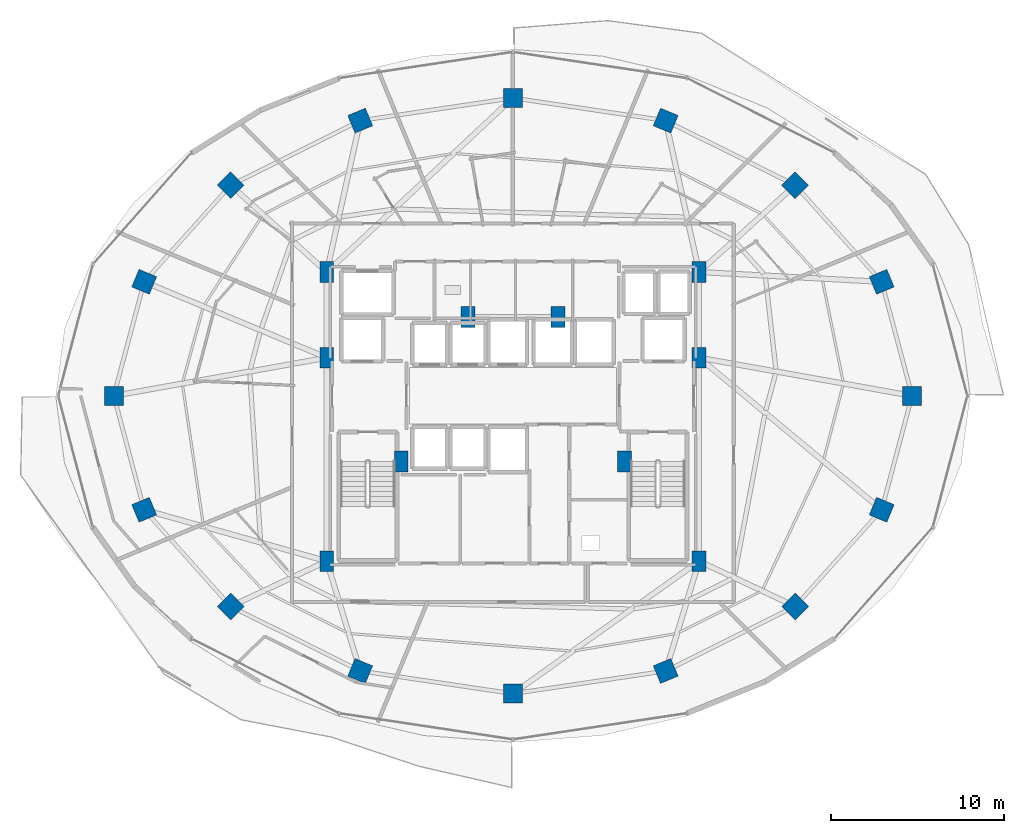
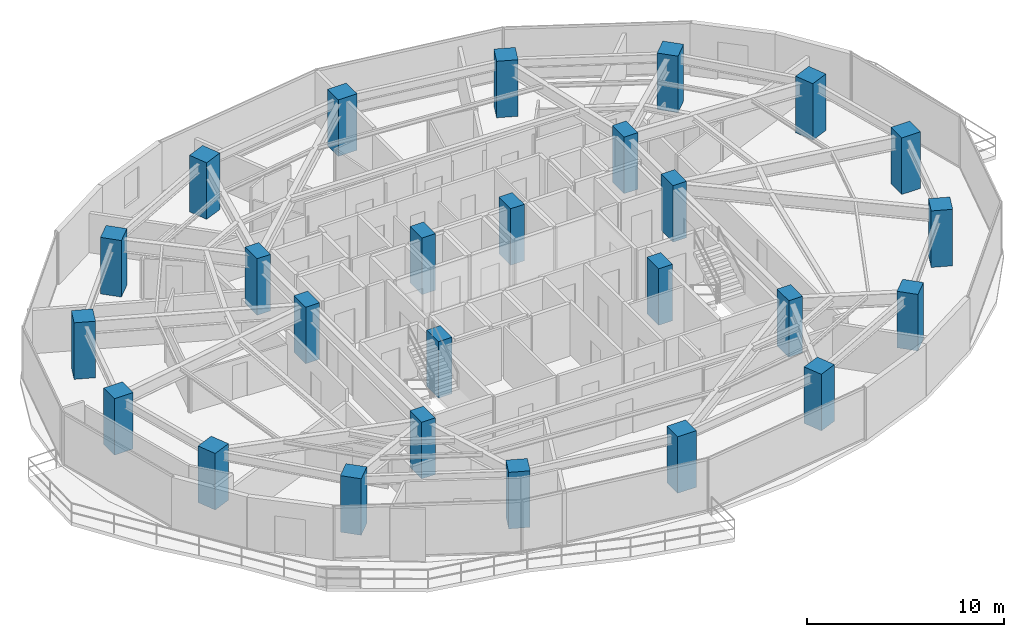
# One storey, part 1 of 31: 26 columns.
"""IFC4 building model written with IfcOpenShell, lengths in metres."""

from ifc_helpers import new_model, si_unit, direction, frame, origin, origin_2d, place, context, subcontext, project, spatial, rectangle, extrude, material, material_profile, profile_set, type_object, element, save


model = new_model("IFC4")

# Units and contexts
model_context = context("Model", 3, precision=1e-05, world=origin(), true_north=direction((0.0, 1.0)))
body_context = subcontext(model_context, "Body", "Model", "MODEL_VIEW")
ifc_project = project(units=[si_unit("LENGTHUNIT", "METRE"), si_unit("AREAUNIT", "SQUARE_METRE"), si_unit("VOLUMEUNIT", "CUBIC_METRE"), si_unit("PLANEANGLEUNIT", "RADIAN"), si_unit("MASSUNIT", "GRAM", prefix="KILO")], contexts=[model_context])

# Site, building, storey
site_placement = place(None, origin())
site = spatial("IfcSite", under=ifc_project, at=site_placement, CompositionType="ELEMENT")
building_placement = place(site_placement, origin())
building = spatial("IfcBuilding", under=site, at=building_placement, Name="Vorneva Point Tower", CompositionType="ELEMENT")
storey_placement = place(building_placement, frame((0.0, 0.0, 99.800048828125)))
storey = spatial("IfcBuildingStorey", under=building, at=storey_placement, Name="L26", CompositionType="ELEMENT", Elevation=99.800048828125)

# Columns
ifc_material = material(Name="Concrete B60 (C50/60)", Category="concrete")
ifc_material_profile_1 = material_profile(ifc_material, rectangle(XDim=1.10009765625, YDim=1.10009765625, at=origin_2d()), Name="RC-COL 1100x1100")
ifc_profile_set_1 = profile_set([ifc_material_profile_1], Name="Concrete B60 (C50/60)")
column_type_1 = type_object("IfcColumnType", Name="COL-RC1100", PredefinedType="COLUMN", material=ifc_profile_set_1)
for number, where, z_axis, x_axis, name in (
    (1, (61.050048828125, 26.0, 0.0), (0.0, 0.0, 1.0), (1.0, 0.0, 0.0), "L26 Perimeter Column P01"),
    (2, (59.29541015625, 32.582275390625, 0.0), (0.0, 0.0, 1.0), (0.923879532511, 0.382683432365, 0.0), "L26 Perimeter Column P02"),
    (3, (54.298828125, 38.162109375, 0.0), (0.0, 0.0, 1.0), (0.707106781187, 0.707106781187, 0.0), "L26 Perimeter Column P03"),
    (4, (46.82080078125, 41.890625, 0.0), (0.0, 0.0, 1.0), (0.382683432365, 0.923879532511, 0.0), "L26 Perimeter Column P04"),
    (5, (38.0, 43.199951171875, 0.0), (0.0, 0.0, 1.0), (0.0, 1.0, 0.0), "L26 Perimeter Column P05"),
    (6, (29.17919921875, 41.890625, 0.0), (0.0, 0.0, 1.0), (-0.382683432365, 0.923879532511, 0.0), "L26 Perimeter Column P06"),
    (7, (21.701171875, 38.162109375, 0.0), (0.0, 0.0, 1.0), (-0.707106781187, 0.707106781187, 0.0), "L26 Perimeter Column P07"),
    (8, (16.70458984375, 32.582275390625, 0.0), (0.0, 0.0, 1.0), (-0.923879532511, 0.382683432365, 0.0), "L26 Perimeter Column P08"),
    (9, (14.949951171875, 26.0, 0.0), (0.0, 0.0, 1.0), (-1.0, 0.0, 0.0), "L26 Perimeter Column P09"),
    (10, (16.70458984375, 19.417724609375, 0.0), (0.0, 0.0, 1.0), (-0.923879532511, -0.382683432365, 0.0), "L26 Perimeter Column P10"),
    (11, (21.701171875, 13.837890625, 0.0), (0.0, 0.0, 1.0), (-0.707106781187, -0.707106781187, 0.0), "L26 Perimeter Column P11"),
    (12, (29.17919921875, 10.109375, 0.0), (0.0, 0.0, 1.0), (-0.382683432365, -0.923879532511, 0.0), "L26 Perimeter Column P12"),
    (13, (38.0, 8.800048828125, 0.0), (0.0, 0.0, 1.0), (0.0, -1.0, 0.0), "L26 Perimeter Column P13"),
    (14, (46.82080078125, 10.109375, 0.0), (0.0, 0.0, 1.0), (0.382683432365, -0.923879532511, 0.0), "L26 Perimeter Column P14"),
    (15, (54.298828125, 13.837890625, 0.0), (0.0, 0.0, 1.0), (0.707106781187, -0.707106781187, 0.0), "L26 Perimeter Column P15"),
    (16, (59.29541015625, 19.417724609375, 0.0), (0.0, 0.0, 1.0), (0.923879532511, -0.382683432365, 0.0), "L26 Perimeter Column P16"),
):
    element("IfcColumn", number, at=place(storey_placement, frame(where, z_axis=z_axis, x_axis=x_axis)), inside=storey, type_object=column_type_1, Name=name, PredefinedType="COLUMN", context=body_context, shape_type="SweptSolid", body=[
        extrude(rectangle(XDim=1.10009765625, YDim=1.10009765625, at=origin_2d()), origin(), (0.0, 0.0, 1.0), 3.5),
    ])
ifc_material_profile_2 = material_profile(ifc_material, rectangle(XDim=0.800048828125, YDim=1.199951171875, at=origin_2d()), Name="RC-PIL 1200x800")
ifc_profile_set_2 = profile_set([ifc_material_profile_2], Name="Concrete B60 (C50/60)")
column_type_2 = type_object("IfcColumnType", Name="PIL-RC1200x800", PredefinedType="PILASTER", material=ifc_profile_set_2)
for number, where, z_axis, x_axis, name in (
    (17, (27.25, 16.449951171875, 0.0), (0.0, 0.0, 1.0), (1.0, 0.0, 0.0), "L26 Core Pilaster CP1"),
    (18, (27.25, 28.199951171875, 0.0), (0.0, 0.0, 1.0), (1.0, 0.0, 0.0), "L26 Core Pilaster CP2"),
    (19, (27.25, 33.14990234375, 0.0), (0.0, 0.0, 1.0), (1.0, 0.0, 0.0), "L26 Core Pilaster CP3"),
    (20, (31.550048828125, 22.199951171875, 0.0), (0.0, 0.0, 1.0), (1.0, 0.0, 0.0), "L26 Core Pilaster CP4"),
    (21, (48.75, 33.14990234375, 0.0), (0.0, 0.0, 1.0), (1.0, 0.0, 0.0), "L26 Core Pilaster CP5"),
    (22, (48.75, 28.199951171875, 0.0), (0.0, 0.0, 1.0), (1.0, 0.0, 0.0), "L26 Core Pilaster CP6"),
    (23, (48.75, 16.449951171875, 0.0), (0.0, 0.0, 1.0), (1.0, 0.0, 0.0), "L26 Core Pilaster CP7"),
    (24, (44.449951171875, 22.199951171875, 0.0), (0.0, 0.0, 1.0), (1.0, 0.0, 0.0), "L26 Core Pilaster CP8"),
    (25, (35.39990234375, 30.550048828125, 0.0), (0.0, 0.0, 1.0), (1.0, 0.0, 0.0), "L26 Core Pilaster CP9"),
    (26, (40.60009765625, 30.550048828125, 0.0), (0.0, 0.0, 1.0), (1.0, 0.0, 0.0), "L26 Core Pilaster CP10"),
):
    element("IfcColumn", number, at=place(storey_placement, frame(where, z_axis=z_axis, x_axis=x_axis)), inside=storey, type_object=column_type_2, Name=name, PredefinedType="PILASTER", context=body_context, shape_type="SweptSolid", body=[
        extrude(rectangle(XDim=0.800048828125, YDim=1.199951171875, at=origin_2d()), origin(), (0.0, 0.0, 1.0), 3.5),
    ])

save(model, "model.ifc")
